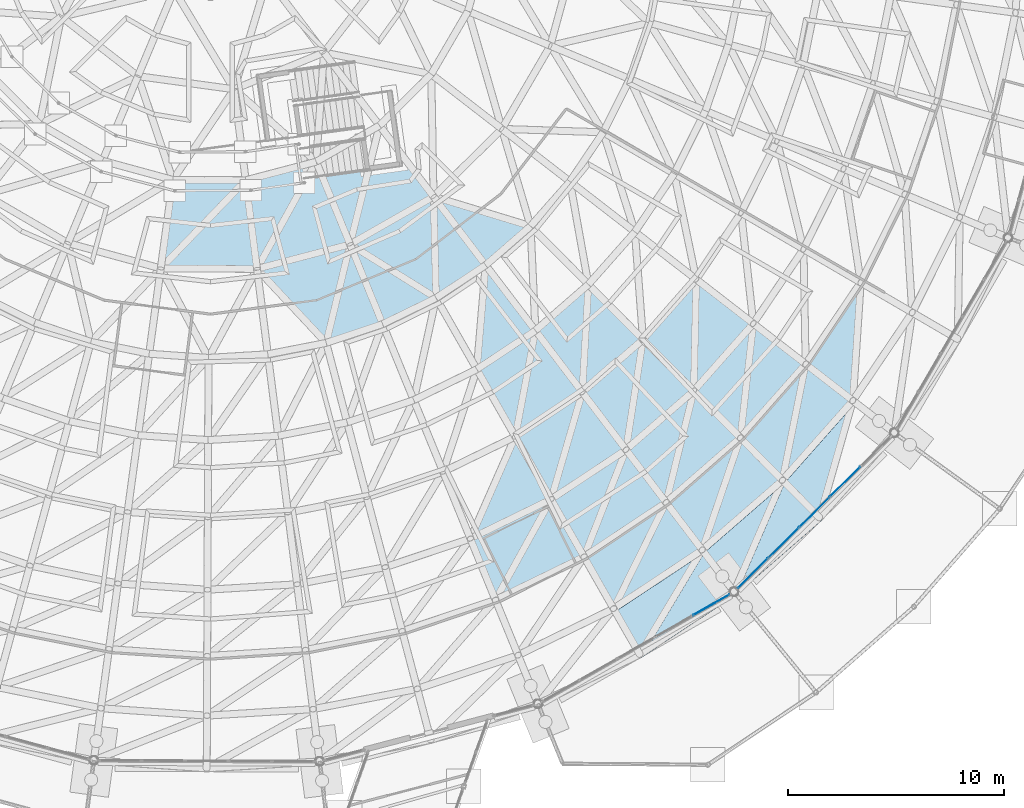
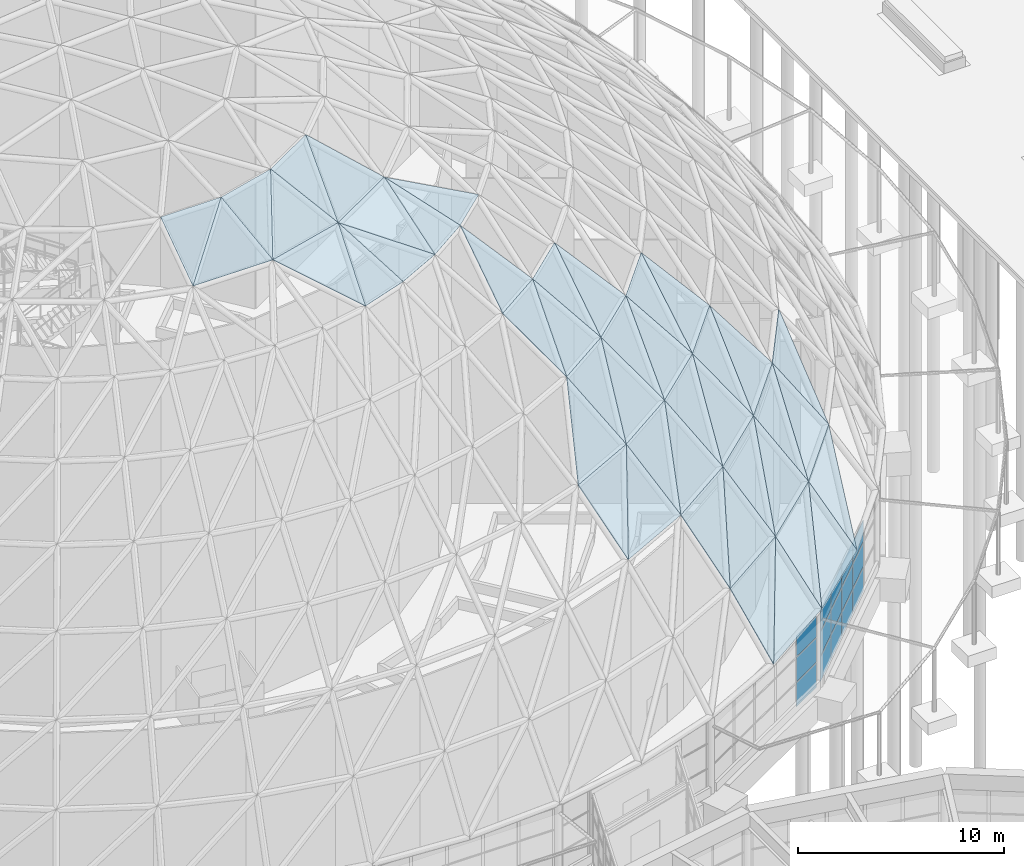
# One storey, part 147 of 226: 59 plates, 2 elements without a shape of their own.
"""IFC4 building model written with IfcOpenShell, lengths in metres."""

from ifc_helpers import new_model, si_unit, direction, frame, origin, origin_2d, place, context, subcontext, project, spatial, polyline, rectangle, outline, extrude, material, layer, layer_set, type_object, element, aggregate, save


model = new_model("IFC4")

# Units and contexts
model_context = context("Model", 3, precision=1e-05, world=origin(), true_north=direction((0.0, 1.0)))
body_context = subcontext(model_context, "Body", "Model", "MODEL_VIEW")
ifc_project = project(units=[si_unit("LENGTHUNIT", "METRE"), si_unit("AREAUNIT", "SQUARE_METRE"), si_unit("VOLUMEUNIT", "CUBIC_METRE"), si_unit("PLANEANGLEUNIT", "RADIAN"), si_unit("MASSUNIT", "GRAM", prefix="KILO")], contexts=[model_context])

# Site, building, storey
site_placement = place(None, origin())
site = spatial("IfcSite", under=ifc_project, at=site_placement, CompositionType="ELEMENT")
building_placement = place(site_placement, origin())
building = spatial("IfcBuilding", under=site, at=building_placement, Name="Ceibo Conservatory and Research Tower", CompositionType="ELEMENT")
storey_placement = place(building_placement, origin())
storey = spatial("IfcBuildingStorey", under=building, at=storey_placement, Name="L00", CompositionType="ELEMENT", Elevation=0.0)

# Curtain wall, plates
ifc_material_1 = material(Name="Aluminium and glass", Category="aluminium")
curtain_wall_type = type_object("IfcCurtainWallType", Name="Drum curtain wall", PredefinedType="NOTDEFINED", material=ifc_material_1)
curtain_wall_1_placement = place(storey_placement, origin())
curtain_wall_1 = element("IfcCurtainWall", 1, at=curtain_wall_1_placement, inside=storey, type_object=curtain_wall_type, Name="Drum curtain wall A-CW20", PredefinedType="NOTDEFINED")
ifc_material_2 = material(Name="Laminated glass", Category="glass")
ifc_layer_1 = layer(ifc_material_2, 0.028076171875)
ifc_layer_set_1 = layer_set([ifc_layer_1], Name="Laminated glass")
plate_type_1 = type_object("IfcPlateType", Name="Drum glass 28", PredefinedType="CURTAIN_PANEL", material=ifc_layer_set_1)
plate_1_placement = place(storey_placement, frame((179.151123046875, 75.5537109375, 0.06005859375), z_axis=(0.0, 0.0, 1.0), x_axis=(0.868198821002, 0.49621649228, 0.0)))
plate_1 = element("IfcPlate", 2, at=plate_1_placement, type_object=plate_type_1, Name="A-CW20 panel 5.1", PredefinedType="CURTAIN_PANEL", context=body_context, shape_type="SweptSolid", body=[
    extrude(rectangle(XDim=1.917236328125, YDim=0.028076171875, at=origin_2d()), origin(), (0.0, 0.0, 1.0), 1.43994140625),
])
plate_2_placement = place(storey_placement, frame((179.151123046875, 75.5537109375, 1.56005859375), z_axis=(0.0, 0.0, 1.0), x_axis=(0.868198821002, 0.49621649228, 0.0)))
plate_2 = element("IfcPlate", 3, at=plate_2_placement, type_object=plate_type_1, Name="A-CW20 panel 5.2", PredefinedType="CURTAIN_PANEL", context=body_context, shape_type="SweptSolid", body=[
    extrude(rectangle(XDim=1.917236328125, YDim=0.028076171875, at=origin_2d()), origin(), (0.0, 0.0, 1.0), 1.425048828125),
])
plate_3_placement = place(storey_placement, frame((179.151123046875, 75.5537109375, 3.044921875), z_axis=(0.0, 0.0, 1.0), x_axis=(0.868198821002, 0.49621649228, 0.0)))
plate_3 = element("IfcPlate", 4, at=plate_3_placement, type_object=plate_type_1, Name="A-CW20 panel 5.3", PredefinedType="CURTAIN_PANEL", context=body_context, shape_type="SweptSolid", body=[
    extrude(rectangle(XDim=1.917236328125, YDim=0.028076171875, at=origin_2d()), origin(), (0.0, 0.0, 1.0), 1.233154296875),
])
aggregate(curtain_wall_1, [plate_1, plate_2, plate_3])

curtain_wall_2_placement = place(storey_placement, origin())
curtain_wall_2 = element("IfcCurtainWall", 5, at=curtain_wall_2_placement, inside=storey, type_object=curtain_wall_type, Name="Drum curtain wall A-CW21", PredefinedType="NOTDEFINED")
plate_4_placement = place(storey_placement, frame((181.079345703125, 77.02001953125, 0.06005859375), z_axis=(0.0, 0.0, 1.0), x_axis=(0.71018535052, 0.704014749779, 0.0)))
plate_4 = element("IfcPlate", 6, at=plate_4_placement, type_object=plate_type_1, Name="A-CW21 panel 1.1", PredefinedType="CURTAIN_PANEL", context=body_context, shape_type="SweptSolid", body=[
    extrude(rectangle(XDim=1.917236328125, YDim=0.028076171875, at=origin_2d()), origin(), (0.0, 0.0, 1.0), 1.43994140625),
])
plate_5_placement = place(storey_placement, frame((181.079345703125, 77.02001953125, 1.56005859375), z_axis=(0.0, 0.0, 1.0), x_axis=(0.71018535052, 0.704014749779, 0.0)))
plate_5 = element("IfcPlate", 7, at=plate_5_placement, type_object=plate_type_1, Name="A-CW21 panel 1.2", PredefinedType="CURTAIN_PANEL", context=body_context, shape_type="SweptSolid", body=[
    extrude(rectangle(XDim=1.917236328125, YDim=0.028076171875, at=origin_2d()), origin(), (0.0, 0.0, 1.0), 1.425048828125),
])
plate_6_placement = place(storey_placement, frame((181.079345703125, 77.02001953125, 3.044921875), z_axis=(0.0, 0.0, 1.0), x_axis=(0.71018535052, 0.704014749779, 0.0)))
plate_6 = element("IfcPlate", 8, at=plate_6_placement, type_object=plate_type_1, Name="A-CW21 panel 1.3", PredefinedType="CURTAIN_PANEL", context=body_context, shape_type="SweptSolid", body=[
    extrude(rectangle(XDim=1.917236328125, YDim=0.028076171875, at=origin_2d()), origin(), (0.0, 0.0, 1.0), 1.233154296875),
])
plate_7_placement = place(storey_placement, frame((182.494140625, 78.422607421875, 0.06005859375), z_axis=(0.0, 0.0, 1.0), x_axis=(0.71018535052, 0.704014749779, 0.0)))
plate_7 = element("IfcPlate", 9, at=plate_7_placement, type_object=plate_type_1, Name="A-CW21 panel 2.1", PredefinedType="CURTAIN_PANEL", context=body_context, shape_type="SweptSolid", body=[
    extrude(rectangle(XDim=1.947021484375, YDim=0.028076171875, at=origin_2d()), origin(), (0.0, 0.0, 1.0), 1.43994140625),
])
plate_8_placement = place(storey_placement, frame((182.494140625, 78.422607421875, 1.56005859375), z_axis=(0.0, 0.0, 1.0), x_axis=(0.71018535052, 0.704014749779, 0.0)))
plate_8 = element("IfcPlate", 10, at=plate_8_placement, type_object=plate_type_1, Name="A-CW21 panel 2.2", PredefinedType="CURTAIN_PANEL", context=body_context, shape_type="SweptSolid", body=[
    extrude(rectangle(XDim=1.947021484375, YDim=0.028076171875, at=origin_2d()), origin(), (0.0, 0.0, 1.0), 1.425048828125),
])
plate_9_placement = place(storey_placement, frame((182.494140625, 78.422607421875, 3.044921875), z_axis=(0.0, 0.0, 1.0), x_axis=(0.71018535052, 0.704014749779, 0.0)))
plate_9 = element("IfcPlate", 11, at=plate_9_placement, type_object=plate_type_1, Name="A-CW21 panel 2.3", PredefinedType="CURTAIN_PANEL", context=body_context, shape_type="SweptSolid", body=[
    extrude(rectangle(XDim=1.947021484375, YDim=0.028076171875, at=origin_2d()), origin(), (0.0, 0.0, 1.0), 1.233154296875),
])
plate_10_placement = place(storey_placement, frame((183.919677734375, 79.835693359375, 0.06005859375), z_axis=(0.0, 0.0, 1.0), x_axis=(0.71018535052, 0.704014749779, 0.0)))
plate_10 = element("IfcPlate", 12, at=plate_10_placement, type_object=plate_type_1, Name="A-CW21 panel 3.1", PredefinedType="CURTAIN_PANEL", context=body_context, shape_type="SweptSolid", body=[
    extrude(rectangle(XDim=1.947021484375, YDim=0.028076171875, at=origin_2d()), origin(), (0.0, 0.0, 1.0), 1.43994140625),
])
plate_11_placement = place(storey_placement, frame((183.919677734375, 79.835693359375, 1.56005859375), z_axis=(0.0, 0.0, 1.0), x_axis=(0.71018535052, 0.704014749779, 0.0)))
plate_11 = element("IfcPlate", 13, at=plate_11_placement, type_object=plate_type_1, Name="A-CW21 panel 3.2", PredefinedType="CURTAIN_PANEL", context=body_context, shape_type="SweptSolid", body=[
    extrude(rectangle(XDim=1.947021484375, YDim=0.028076171875, at=origin_2d()), origin(), (0.0, 0.0, 1.0), 1.425048828125),
])
plate_12_placement = place(storey_placement, frame((183.919677734375, 79.835693359375, 3.044921875), z_axis=(0.0, 0.0, 1.0), x_axis=(0.71018535052, 0.704014749779, 0.0)))
plate_12 = element("IfcPlate", 14, at=plate_12_placement, type_object=plate_type_1, Name="A-CW21 panel 3.3", PredefinedType="CURTAIN_PANEL", context=body_context, shape_type="SweptSolid", body=[
    extrude(rectangle(XDim=1.947021484375, YDim=0.028076171875, at=origin_2d()), origin(), (0.0, 0.0, 1.0), 1.233154296875),
])
plate_13_placement = place(storey_placement, frame((185.34521484375, 81.248779296875, 0.06005859375), z_axis=(0.0, 0.0, 1.0), x_axis=(0.71018535052, 0.704014749779, 0.0)))
plate_13 = element("IfcPlate", 15, at=plate_13_placement, type_object=plate_type_1, Name="A-CW21 panel 4.1", PredefinedType="CURTAIN_PANEL", context=body_context, shape_type="SweptSolid", body=[
    extrude(rectangle(XDim=1.947021484375, YDim=0.028076171875, at=origin_2d()), origin(), (0.0, 0.0, 1.0), 1.43994140625),
])
plate_14_placement = place(storey_placement, frame((185.34521484375, 81.248779296875, 1.56005859375), z_axis=(0.0, 0.0, 1.0), x_axis=(0.71018535052, 0.704014749779, 0.0)))
plate_14 = element("IfcPlate", 16, at=plate_14_placement, type_object=plate_type_1, Name="A-CW21 panel 4.2", PredefinedType="CURTAIN_PANEL", context=body_context, shape_type="SweptSolid", body=[
    extrude(rectangle(XDim=1.947021484375, YDim=0.028076171875, at=origin_2d()), origin(), (0.0, 0.0, 1.0), 1.425048828125),
])
plate_15_placement = place(storey_placement, frame((185.34521484375, 81.248779296875, 3.044921875), z_axis=(0.0, 0.0, 1.0), x_axis=(0.71018535052, 0.704014749779, 0.0)))
plate_15 = element("IfcPlate", 17, at=plate_15_placement, type_object=plate_type_1, Name="A-CW21 panel 4.3", PredefinedType="CURTAIN_PANEL", context=body_context, shape_type="SweptSolid", body=[
    extrude(rectangle(XDim=1.947021484375, YDim=0.028076171875, at=origin_2d()), origin(), (0.0, 0.0, 1.0), 1.233154296875),
])
aggregate(curtain_wall_2, [plate_4, plate_5, plate_6, plate_7, plate_8, plate_9, plate_10, plate_11, plate_12, plate_13, plate_14, plate_15])

# Plates
ifc_layer_2 = layer(ifc_material_2, 0.035888671875)
ifc_layer_set_2 = layer_set([ifc_layer_2], Name="Laminated glass")
plate_type_2 = type_object("IfcPlateType", Name="Gridshell roof glass 36", PredefinedType="SHEET", material=ifc_layer_set_2)
plate_16_placement = place(storey_placement, frame((175.93212890625, 73.126708984375, 4.601806640625), z_axis=(0.45811079424, -0.692141464339, 0.557740704578), x_axis=(0.833890062559, 0.551930578574, 0.0)))
element("IfcPlate", 18, at=plate_16_placement, inside=storey, type_object=plate_type_2, Name="Glass panel A-P01-079", PredefinedType="SHEET", context=body_context, shape_type="SweptSolid", body=[
    extrude(outline(polyline([(0.0, 0.0), (5.254107049557908, 0.0), (5.093978905781169, 4.37474316134803), (0.0, 0.0)])), origin(), (0.0, 0.0, -1.0), 0.035888671875),
])
plate_17_placement = place(storey_placement, frame((175.93212890625, 73.126708984375, 4.601806640625), z_axis=(0.458047233991, -0.692142014895, 0.557792221754), x_axis=(0.432056442362, 0.721730234864, 0.540770467664)))
element("IfcPlate", 19, at=plate_17_placement, inside=storey, type_object=plate_type_2, Name="Glass panel A-P01-080", PredefinedType="SHEET", context=body_context, shape_type="SweptSolid", body=[
    extrude(outline(polyline([(0.0, 0.0), (6.714685310593853, 0.0), (2.9711198412687043, 3.2152320905581755), (0.0, 0.0)])), origin(), (0.0, 0.0, -1.0), 0.035888671875),
])
plate_18_placement = place(storey_placement, frame((180.3134765625, 76.026611328125, 4.601806640625), z_axis=(0.544575423436, -0.626371647012, 0.557759955545), x_axis=(0.75466253606, 0.656113143191, 0.0)))
element("IfcPlate", 20, at=plate_18_placement, inside=storey, type_object=plate_type_2, Name="Glass panel A-P01-081", PredefinedType="SHEET", context=body_context, shape_type="SweptSolid", body=[
    extrude(outline(polyline([(0.0, 0.0), (5.25444399552769, 2.220446049250313e-16), (5.093855868540828, 4.374811345423591), (0.0, 0.0)])), origin(), (0.0, 0.0, -1.0), 0.035888671875),
])
plate_19_placement = place(storey_placement, frame((180.3134765625, 76.026611328125, 4.601806640625), z_axis=(0.544596939449, -0.626368621684, 0.557742344916), x_axis=(0.334070816427, 0.77198428106, 0.540774407131)))
element("IfcPlate", 21, at=plate_19_placement, inside=storey, type_object=plate_type_2, Name="Glass panel A-P01-082", PredefinedType="SHEET", context=body_context, shape_type="SweptSolid", body=[
    extrude(outline(polyline([(0.0, 0.0), (6.7146363950339705, -4.440892098500626e-16), (2.9716125697932965, 3.2145820078568876), (0.0, 0.0)])), origin(), (0.0, 0.0, -1.0), 0.035888671875),
])
plate_20_placement = place(storey_placement, frame((184.27880859375, 79.47412109375, 4.601806640625), z_axis=(0.621608240048, -0.549990034945, 0.557776081745), x_axis=(0.23049193929, 0.808957984747, 0.540796121321)))
element("IfcPlate", 22, at=plate_20_placement, inside=storey, type_object=plate_type_2, Name="Glass panel A-P01-084", PredefinedType="SHEET", context=body_context, shape_type="SweptSolid", body=[
    extrude(outline(polyline([(0.0, 0.0), (6.714366787164462, -4.440892098500626e-16), (2.971159863817821, 3.2151161593656585), (0.0, 0.0)])), origin(), (0.0, 0.0, -1.0), 0.035888671875),
])
plate_21_placement = place(storey_placement, frame((174.718017578125, 75.24951171875, 8.23291015625), z_axis=(0.427477149235, -0.645948438145, 0.632466522544), x_axis=(0.833925508995, 0.551877020221, 0.0)))
element("IfcPlate", 23, at=plate_21_placement, inside=storey, type_object=plate_type_2, Name="Glass panel A-P02-079", PredefinedType="SHEET", context=body_context, shape_type="SweptSolid", body=[
    extrude(outline(polyline([(0.0, 0.0), (4.934774545942167, 0.0), (4.752936345598222, 4.372916135096226), (0.0, 0.0)])), origin(), (0.0, 0.0, -1.0), 0.035888671875),
])
plate_22_placement = place(storey_placement, frame((174.718017578125, 75.24951171875, 8.23291015625), z_axis=(0.427599933056, -0.645950595466, 0.632381313345), x_axis=(0.377369202936, 0.763243671891, 0.52445360328)))
element("IfcPlate", 24, at=plate_22_placement, inside=storey, type_object=plate_type_2, Name="Glass panel A-P02-080", PredefinedType="SHEET", context=body_context, shape_type="SweptSolid", body=[
    extrude(outline(polyline([(0.0, 0.0), (6.458544683587278, 0.0), (3.0940111564099237, 3.095009580727189), (0.0, 0.0)])), origin(), (0.0, 0.0, -1.0), 0.035888671875),
])
plate_23_placement = place(storey_placement, frame((178.833251953125, 77.972900390625, 8.23291015625), z_axis=(0.508241482158, -0.584554362322, 0.632445091138), x_axis=(0.754648131448, 0.656129711035, 0.0)))
element("IfcPlate", 25, at=plate_23_placement, inside=storey, type_object=plate_type_2, Name="Glass panel A-P02-081", PredefinedType="SHEET", context=body_context, shape_type="SweptSolid", body=[
    extrude(outline(polyline([(0.0, 0.0), (4.933940093024697, 0.0), (4.7529268761876, 4.372817348937347), (0.0, 0.0)])), origin(), (0.0, 0.0, -1.0), 0.035888671875),
])
plate_24_placement = place(storey_placement, frame((178.833251953125, 77.972900390625, 8.23291015625), z_axis=(0.508200679396, -0.584559010355, 0.632473582749), x_axis=(0.274401920148, 0.806006025814, 0.524459600513)))
element("IfcPlate", 26, at=plate_24_placement, inside=storey, type_object=plate_type_2, Name="Glass panel A-P02-082", PredefinedType="SHEET", context=body_context, shape_type="SweptSolid", body=[
    extrude(outline(polyline([(0.0, 0.0), (6.458470829658818, 2.220446049250313e-16), (3.094106091212218, 3.095475432306432), (0.0, 0.0)])), origin(), (0.0, 0.0, -1.0), 0.035888671875),
])
plate_25_placement = place(storey_placement, frame((182.556640625, 81.210205078125, 8.23291015625), z_axis=(0.580128380143, -0.51328925119, 0.632443837163), x_axis=(0.662645405262, 0.748933286004, 0.0)))
element("IfcPlate", 27, at=plate_25_placement, inside=storey, type_object=plate_type_2, Name="Glass panel A-P02-083", PredefinedType="SHEET", context=body_context, shape_type="SweptSolid", body=[
    extrude(outline(polyline([(0.0, 0.0), (4.934427017314615, 0.0), (4.753419390065305, 4.372811569164403), (0.0, 0.0)])), origin(), (0.0, 0.0, -1.0), 0.035888671875),
])
plate_26_placement = place(storey_placement, frame((182.556640625, 81.210205078125, 8.23291015625), z_axis=(0.580128495809, -0.513289222372, 0.632443754453), x_axis=(0.166998262122, 0.834915711577, 0.524430486347)))
element("IfcPlate", 28, at=plate_26_placement, inside=storey, type_object=plate_type_2, Name="Glass panel A-P02-084", PredefinedType="SHEET", context=body_context, shape_type="SweptSolid", body=[
    extrude(outline(polyline([(0.0, 0.0), (6.458829376695661, 4.440892098500626e-16), (3.093844952009283, 3.0955485402047636), (0.0, 0.0)])), origin(), (0.0, 0.0, -1.0), 0.035888671875),
])
plate_27_placement = place(storey_placement, frame((185.826416015625, 84.90576171875, 8.23291015625), z_axis=(0.642149374648, -0.433201588051, 0.632440166932), x_axis=(0.056588979811, 0.849552927366, 0.524459255775)))
element("IfcPlate", 29, at=plate_27_placement, inside=storey, type_object=plate_type_2, Name="Glass panel A-P02-086", PredefinedType="SHEET", context=body_context, shape_type="SweptSolid", body=[
    extrude(outline(polyline([(0.0, 0.0), (6.458475074955934, 0.0), (3.094166020248231, 3.095219123047945), (0.0, 0.0)])), origin(), (0.0, 0.0, -1.0), 0.035888671875),
])
plate_28_placement = place(storey_placement, frame((169.234130859375, 75.652099609375, 11.6201171875), z_axis=(0.31217805054, -0.64029597473, 0.701830413637), x_axis=(0.898857734553, 0.438240542436, 0.0)))
element("IfcPlate", 30, at=plate_28_placement, inside=storey, type_object=plate_type_2, Name="Glass panel A-P03-077", PredefinedType="SHEET", context=body_context, shape_type="SweptSolid", body=[
    extrude(outline(polyline([(0.0, 0.0), (4.571503032589862, 0.0), (4.369691083419548, 4.372873133249929), (0.0, 0.0)])), origin(), (0.0, 0.0, -1.0), 0.035888671875),
])
plate_29_placement = place(storey_placement, frame((169.234130859375, 75.652099609375, 11.6201171875), z_axis=(0.312271468521, -0.640310852499, 0.701775278932), x_axis=(0.417792661364, 0.756007648785, 0.503886621264)))
element("IfcPlate", 31, at=plate_29_placement, inside=storey, type_object=plate_type_2, Name="Glass panel A-P03-078", PredefinedType="SHEET", context=body_context, shape_type="SweptSolid", body=[
    extrude(outline(polyline([(0.0, 0.0), (6.181926852043411, 0.0), (3.2345170349661716, 2.9491060949903893), (0.0, 0.0)])), origin(), (0.0, 0.0, -1.0), 0.035888671875),
])
plate_30_placement = place(storey_placement, frame((173.34326171875, 77.655517578125, 11.6201171875), z_axis=(0.393228083192, -0.594027021184, 0.701785987814), x_axis=(0.833853404123, 0.551985960357, 0.0)))
element("IfcPlate", 32, at=plate_30_placement, inside=storey, type_object=plate_type_2, Name="Glass panel A-P03-079", PredefinedType="SHEET", context=body_context, shape_type="SweptSolid", body=[
    extrude(outline(polyline([(0.0, 0.0), (4.571561020077669, 2.220446049250313e-16), (4.37128869689279, 4.372604474401962), (0.0, 0.0)])), origin(), (0.0, 0.0, -1.0), 0.035888671875),
])
plate_31_placement = place(storey_placement, frame((173.34326171875, 77.655517578125, 11.6201171875), z_axis=(0.393138862149, -0.594024605118, 0.701838018052), x_axis=(0.315577242636, 0.804105977108, 0.503810064915)))
element("IfcPlate", 33, at=plate_31_placement, inside=storey, type_object=plate_type_2, Name="Glass panel A-P03-080", PredefinedType="SHEET", context=body_context, shape_type="SweptSolid", body=[
    extrude(outline(polyline([(0.0, 0.0), (6.182866225396012, -2.220446049250313e-16), (3.234773136941577, 2.949405067949826), (0.0, 0.0)])), origin(), (0.0, 0.0, -1.0), 0.035888671875),
])
plate_32_placement = place(storey_placement, frame((177.1552734375, 80.178955078125, 11.6201171875), z_axis=(0.467446525098, -0.537681449836, 0.701706779699), x_axis=(0.754676796997, 0.656096739875, 0.0)))
element("IfcPlate", 34, at=plate_32_placement, inside=storey, type_object=plate_type_2, Name="Glass panel A-P03-081", PredefinedType="SHEET", context=body_context, shape_type="SweptSolid", body=[
    extrude(outline(polyline([(0.0, 0.0), (4.571752207339714, -2.220446049250313e-16), (4.371737798924635, 4.3721256395802985), (0.0, 0.0)])), origin(), (0.0, 0.0, -1.0), 0.035888671875),
])
plate_33_placement = place(storey_placement, frame((177.1552734375, 80.178955078125, 11.6201171875), z_axis=(0.467327715494, -0.537693821888, 0.701776431804), x_axis=(0.208055826173, 0.83838324185, 0.503811783288)))
element("IfcPlate", 35, at=plate_33_placement, inside=storey, type_object=plate_type_2, Name="Glass panel A-P03-082", PredefinedType="SHEET", context=body_context, shape_type="SweptSolid", body=[
    extrude(outline(polyline([(0.0, 0.0), (6.182845137218127, -2.220446049250313e-16), (3.2347754358287153, 2.948899247643614), (0.0, 0.0)])), origin(), (0.0, 0.0, -1.0), 0.035888671875),
])
plate_34_placement = place(storey_placement, frame((180.60546875, 83.178466796875, 11.6201171875), z_axis=(0.533605668145, -0.472126503755, 0.701684797737), x_axis=(0.66264531029, 0.748933370034, 0.0)))
element("IfcPlate", 36, at=plate_34_placement, inside=storey, type_object=plate_type_2, Name="Glass panel A-P03-083", PredefinedType="SHEET", context=body_context, shape_type="SweptSolid", body=[
    extrude(outline(polyline([(0.0, 0.0), (4.57225775117127, 2.220446049250313e-16), (4.370635782508655, 4.371992790043444), (0.0, 0.0)])), origin(), (0.0, 0.0, -1.0), 0.035888671875),
])
plate_35_placement = place(storey_placement, frame((180.60546875, 83.178466796875, 11.6201171875), z_axis=(0.533592142601, -0.472129738311, 0.701692906874), x_axis=(0.096835250988, 0.858326812798, 0.50388293938)))
element("IfcPlate", 37, at=plate_35_placement, inside=storey, type_object=plate_type_2, Name="Glass panel A-P03-084", PredefinedType="SHEET", context=body_context, shape_type="SweptSolid", body=[
    extrude(outline(polyline([(0.0, 0.0), (6.1819720235161935, -6.661338147750939e-16), (3.2347127102858355, 2.9482405013438653), (0.0, 0.0)])), origin(), (0.0, 0.0, -1.0), 0.035888671875),
])
plate_36_placement = place(storey_placement, frame((168.0693359375, 78.498046875, 14.735107421875), z_axis=(0.282302296768, -0.578859237962, 0.765001565923), x_axis=(0.898810085278, 0.438338260482, 0.0)))
element("IfcPlate", 38, at=plate_36_placement, inside=storey, type_object=plate_type_2, Name="Glass panel A-P04-077", PredefinedType="SHEET", context=body_context, shape_type="SweptSolid", body=[
    extrude(outline(polyline([(0.0, 0.0), (4.169466559322997, 0.0), (3.95052041042427, 4.371971400995099), (0.0, 0.0)])), origin(), (0.0, 0.0, -1.0), 0.035888671875),
])
plate_37_placement = place(storey_placement, frame((171.81689453125, 80.32568359375, 14.735107421875), z_axis=(0.355402928291, -0.537006397642, 0.765057440624), x_axis=(0.833910016374, 0.551900429961, 0.0)))
element("IfcPlate", 39, at=plate_37_placement, inside=storey, type_object=plate_type_2, Name="Glass panel A-P04-079", PredefinedType="SHEET", context=body_context, shape_type="SweptSolid", body=[
    extrude(outline(polyline([(0.0, 0.0), (4.170161041619487, 0.0), (3.9502943016100325, 4.37242203896505), (0.0, 0.0)])), origin(), (0.0, 0.0, -1.0), 0.035888671875),
])
plate_38_placement = place(storey_placement, frame((171.81689453125, 80.32568359375, 14.735107421875), z_axis=(0.355533521207, -0.53700902409, 0.764994917202), x_axis=(0.245731020389, 0.843382338736, 0.47783103324)))
element("IfcPlate", 40, at=plate_38_placement, inside=storey, type_object=plate_type_2, Name="Glass panel A-P04-080", PredefinedType="SHEET", context=body_context, shape_type="SweptSolid", body=[
    extrude(outline(polyline([(0.0, 0.0), (5.892613983298073, 0.0), (3.3911789072796203, 2.768027631014263), (0.0, 0.0)])), origin(), (0.0, 0.0, -1.0), 0.035888671875),
])
plate_39_placement = place(storey_placement, frame((175.29443359375, 82.627197265625, 14.735107421875), z_axis=(0.422497022382, -0.486112916416, 0.764977449715), x_axis=(0.754766842474, 0.655993150499, 0.0)))
element("IfcPlate", 41, at=plate_39_placement, inside=storey, type_object=plate_type_2, Name="Glass panel A-P04-081", PredefinedType="SHEET", context=body_context, shape_type="SweptSolid", body=[
    extrude(outline(polyline([(0.0, 0.0), (4.169786773565685, -4.440892098500626e-16), (3.9498270400957947, 4.371776953306844), (0.0, 0.0)])), origin(), (0.0, 0.0, -1.0), 0.035888671875),
])
plate_40_placement = place(storey_placement, frame((175.29443359375, 82.627197265625, 14.735107421875), z_axis=(0.422302514767, -0.486134532114, 0.765071109576), x_axis=(0.133634978358, 0.868192268699, 0.477895257489)))
element("IfcPlate", 42, at=plate_40_placement, inside=storey, type_object=plate_type_2, Name="Glass panel A-P04-082", PredefinedType="SHEET", context=body_context, shape_type="SweptSolid", body=[
    extrude(outline(polyline([(0.0, 0.0), (5.891822076076023, 0.0), (3.390901302280932, 2.769152258070897), (0.0, 0.0)])), origin(), (0.0, 0.0, -1.0), 0.035888671875),
])
plate_41_placement = place(storey_placement, frame((178.441650390625, 85.362548828125, 14.735107421875), z_axis=(0.482303274348, -0.42674863538, 0.765028858119), x_axis=(0.662657277827, 0.748922781162, 0.0)))
element("IfcPlate", 43, at=plate_41_placement, inside=storey, type_object=plate_type_2, Name="Glass panel A-P04-083", PredefinedType="SHEET", context=body_context, shape_type="SweptSolid", body=[
    extrude(outline(polyline([(0.0, 0.0), (4.168747955104435, -2.220446049250313e-16), (3.949765794562444, 4.372191495188925), (0.0, 0.0)])), origin(), (0.0, 0.0, -1.0), 0.035888671875),
])
plate_42_placement = place(storey_placement, frame((178.441650390625, 85.362548828125, 14.735107421875), z_axis=(0.4823950762, -0.426726001713, 0.764983601079), x_axis=(0.019060250914, 0.878221778533, 0.47787363868)))
element("IfcPlate", 44, at=plate_42_placement, inside=storey, type_object=plate_type_2, Name="Glass panel A-P04-084", PredefinedType="SHEET", context=body_context, shape_type="SweptSolid", body=[
    extrude(outline(polyline([(0.0, 0.0), (5.892088619708453, 0.0), (3.3906216276125063, 2.7684835184951595), (0.0, 0.0)])), origin(), (0.0, 0.0, -1.0), 0.035888671875),
])
plate_43_placement = place(storey_placement, frame((170.154052734375, 83.23583984375, 17.55078125), z_axis=(0.314765129979, -0.475431162422, 0.821515747108), x_axis=(0.833817923828, 0.552039554655, 0.0)))
element("IfcPlate", 45, at=plate_43_placement, inside=storey, type_object=plate_type_2, Name="Glass panel A-P05-079", PredefinedType="SHEET", context=body_context, shape_type="SweptSolid", body=[
    extrude(outline(polyline([(0.0, 0.0), (3.730838297969221, 0.0), (3.4965291059106676, 4.369549294933934), (0.0, 0.0)])), origin(), (0.0, 0.0, -1.0), 0.035888671875),
])
plate_44_placement = place(storey_placement, frame((170.154052734375, 83.23583984375, 17.55078125), z_axis=(0.31459254418, -0.475431717378, 0.821581531716), x_axis=(0.16686674284, 0.879747643429, 0.445196107368)))
element("IfcPlate", 46, at=plate_44_placement, inside=storey, type_object=plate_type_2, Name="Glass panel A-P05-080", PredefinedType="SHEET", context=body_context, shape_type="SweptSolid", body=[
    extrude(outline(polyline([(0.0, 0.0), (5.596309214950338, -2.220446049250313e-16), (3.55961441177119, 2.5463052917352464), (0.0, 0.0)])), origin(), (0.0, 0.0, -1.0), 0.035888671875),
])
plate_45_placement = place(storey_placement, frame((173.264892578125, 85.29541015625, 17.55078125), z_axis=(0.37383887323, -0.430345497289, 0.821612591083), x_axis=(0.754930818395, 0.655804436885, 0.0)))
element("IfcPlate", 47, at=plate_45_placement, inside=storey, type_object=plate_type_2, Name="Glass panel A-P05-081", PredefinedType="SHEET", context=body_context, shape_type="SweptSolid", body=[
    extrude(outline(polyline([(0.0, 0.0), (3.731328040413893, 0.0), (3.4945821449068966, 4.370619032784091), (0.0, 0.0)])), origin(), (0.0, 0.0, -1.0), 0.035888671875),
])
plate_46_placement = place(storey_placement, frame((173.264892578125, 85.29541015625, 17.55078125), z_axis=(0.374112664244, -0.430308562674, 0.821507306931), x_axis=(0.050608782452, 0.893986690713, 0.445226400797)))
element("IfcPlate", 48, at=plate_46_placement, inside=storey, type_object=plate_type_2, Name="Glass panel A-P05-082", PredefinedType="SHEET", context=body_context, shape_type="SweptSolid", body=[
    extrude(outline(polyline([(0.0, 0.0), (5.595928439252654, 0.0), (3.559258005144204, 2.54549490102763), (0.0, 0.0)])), origin(), (0.0, 0.0, -1.0), 0.035888671875),
])
plate_47_placement = place(storey_placement, frame((168.36865234375, 86.35986328125, 20.042236328125), z_axis=(0.270919235657, -0.409429911363, 0.871188794368), x_axis=(0.833957542298, 0.551828612564, 0.0)))
element("IfcPlate", 49, at=plate_47_placement, inside=storey, type_object=plate_type_2, Name="Glass panel A-P06-079", PredefinedType="SHEET", context=body_context, shape_type="SweptSolid", body=[
    extrude(outline(polyline([(0.0, 0.0), (3.2606435499784197, 0.0), (3.009574685567654, 4.370628465448766), (0.0, 0.0)])), origin(), (0.0, 0.0, -1.0), 0.035888671875),
])
plate_48_placement = place(storey_placement, frame((158.159912109375, 91.024169921875, 23.970458984375), z_axis=(0.100636958708, -0.382139696211, 0.918608434058), x_axis=(0.638689273207, -0.683121518537, -0.354148278552)))
element("IfcPlate", 50, at=plate_48_placement, inside=storey, type_object=plate_type_2, Name="Glass panel A-P07-057", PredefinedType="SHEET", context=body_context, shape_type="SweptSolid", body=[
    extrude(outline(polyline([(0.0, 0.0), (5.033119772360406, -3.3306690738754696e-16), (1.9819971711480149, 4.003626914101606), (0.0, 0.0)])), origin(), (0.0, 0.0, -1.0), 0.035888671875),
])
plate_49_placement = place(storey_placement, frame((162.47998046875, 92.161865234375, 23.970458984375), z_axis=(0.129336744741, -0.386892153049, 0.913009566417), x_axis=(-0.219612506316, -0.909054153243, -0.354105766037)))
element("IfcPlate", 51, at=plate_49_placement, inside=storey, type_object=plate_type_2, Name="Glass panel A-P07-058", PredefinedType="SHEET", context=body_context, shape_type="SweptSolid", body=[
    extrude(outline(polyline([(0.0, 0.0), (5.0337240284850555, 0.0), (3.6627153495824496, 2.396963439197925), (0.0, 0.0)])), origin(), (0.0, 0.0, -1.0), 0.035888671875),
])
plate_50_placement = place(storey_placement, frame((162.47998046875, 92.161865234375, 23.970458984375), z_axis=(0.178952643727, -0.366598612819, 0.913006795365), x_axis=(0.345743113292, -0.845366731436, -0.407206076811)))
element("IfcPlate", 52, at=plate_50_placement, inside=storey, type_object=plate_type_2, Name="Glass panel A-P07-059", PredefinedType="SHEET", context=body_context, shape_type="SweptSolid", body=[
    extrude(outline(polyline([(0.0, 0.0), (4.37731852404168, -4.163336342344337e-17), (4.211284077199785, 2.756039329248196), (0.0, 0.0)])), origin(), (0.0, 0.0, -1.0), 0.035888671875),
])
plate_51_placement = place(storey_placement, frame((162.47998046875, 92.161865234375, 23.970458984375), z_axis=(0.19608315377, -0.34311311937, 0.918599359963), x_axis=(0.793694065344, -0.494591412434, -0.354159660865)))
element("IfcPlate", 53, at=plate_51_placement, inside=storey, type_object=plate_type_2, Name="Glass panel A-P07-060", PredefinedType="SHEET", context=body_context, shape_type="SweptSolid", body=[
    extrude(outline(polyline([(0.0, 0.0), (5.032958013260124, -1.1102230246251565e-16), (1.9819163539824523, 4.003031799736386), (0.0, 0.0)])), origin(), (0.0, 0.0, -1.0), 0.035888671875),
])
plate_52_placement = place(storey_placement, frame((166.358154296875, 94.378173828125, 23.970458984375), z_axis=(0.225113645712, -0.340267933711, 0.912984983339), x_axis=(0.023137375839, -0.934905203171, -0.354142517814)))
element("IfcPlate", 54, at=plate_52_placement, inside=storey, type_object=plate_type_2, Name="Glass panel A-P07-061", PredefinedType="SHEET", context=body_context, shape_type="SweptSolid", body=[
    extrude(outline(polyline([(0.0, 0.0), (5.033201644713687, 0.0), (3.662211229949117, 2.396629445875303), (0.0, 0.0)])), origin(), (0.0, 0.0, -1.0), 0.035888671875),
])
plate_53_placement = place(storey_placement, frame((166.358154296875, 94.378173828125, 23.970458984375), z_axis=(0.267606608331, -0.307963993064, 0.912986791884), x_axis=(0.55274106486, -0.727058940296, -0.407262338737)))
element("IfcPlate", 55, at=plate_53_placement, inside=storey, type_object=plate_type_2, Name="Glass panel A-P07-062", PredefinedType="SHEET", context=body_context, shape_type="SweptSolid", body=[
    extrude(outline(polyline([(0.0, 0.0), (4.376713812165697, 2.42861286636753e-16), (4.211938083613154, 2.756902291896569), (0.0, 0.0)])), origin(), (0.0, 0.0, -1.0), 0.035888671875),
])
plate_54_placement = place(storey_placement, frame((153.6923828125, 91.044189453125, 23.970458984375), z_axis=(-0.001446309681, -0.322756351752, 0.946480980048), x_axis=(0.999989959937, -0.004481074196, 0.0)))
element("IfcPlate", 56, at=plate_54_placement, inside=storey, type_object=plate_type_2, Name="Glass panel A-P08-035", PredefinedType="SHEET", context=body_context, shape_type="SweptSolid", body=[
    extrude(outline(polyline([(0.0, 0.0), (4.467574151602624, 0.0), (3.9249775739560993, 4.343342544376458), (0.0, 0.0)])), origin(), (0.0, 0.0, -1.0), 0.035888671875),
])
plate_55_placement = place(storey_placement, frame((153.6923828125, 91.044189453125, 23.970458984375), z_axis=(-0.001420496105, -0.322778631304, 0.946473421373), x_axis=(0.673610488219, 0.699217028571, 0.239467027201)))
element("IfcPlate", 57, at=plate_55_placement, inside=storey, type_object=plate_type_2, Name="Glass panel A-P08-036", PredefinedType="SHEET", context=body_context, shape_type="SweptSolid", body=[
    extrude(outline(polyline([(0.0, 0.0), (5.85406469163511, 1.1102230246251565e-16), (3.58495757775191, 2.51058865895238), (0.0, 0.0)])), origin(), (0.0, 0.0, -1.0), 0.035888671875),
])
plate_56_placement = place(storey_placement, frame((158.159912109375, 91.024169921875, 23.970458984375), z_axis=(0.082201584525, -0.312136703471, 0.946474288001), x_axis=(0.967028508009, 0.254668146218, 0.0)))
element("IfcPlate", 58, at=plate_56_placement, inside=storey, type_object=plate_type_2, Name="Glass panel A-P08-037", PredefinedType="SHEET", context=body_context, shape_type="SweptSolid", body=[
    extrude(outline(polyline([(0.0, 0.0), (4.467364016258075, 0.0), (3.9257929376646996, 4.343078488735411), (0.0, 0.0)])), origin(), (0.0, 0.0, -1.0), 0.035888671875),
])
plate_57_placement = place(storey_placement, frame((158.159912109375, 91.024169921875, 23.970458984375), z_axis=(0.082140865451, -0.312107357561, 0.946489236906), x_axis=(0.46964751898, 0.849760921174, 0.239452677498)))
element("IfcPlate", 59, at=plate_57_placement, inside=storey, type_object=plate_type_2, Name="Glass panel A-P08-038", PredefinedType="SHEET", context=body_context, shape_type="SweptSolid", body=[
    extrude(outline(polyline([(0.0, 0.0), (5.854415508719405, 5.551115123125783e-17), (3.58480860617293, 2.5116095956523146), (0.0, 0.0)])), origin(), (0.0, 0.0, -1.0), 0.035888671875),
])
plate_58_placement = place(storey_placement, frame((162.47998046875, 92.161865234375, 23.970458984375), z_axis=(0.160142106688, -0.280222225681, 0.946482968626), x_axis=(0.868222960441, 0.496174254635, 0.0)))
element("IfcPlate", 60, at=plate_58_placement, inside=storey, type_object=plate_type_2, Name="Glass panel A-P08-039", PredefinedType="SHEET", context=body_context, shape_type="SweptSolid", body=[
    extrude(outline(polyline([(0.0, 0.0), (4.4667948267055895, 0.0), (3.9257333306844853, 4.343421019620243), (0.0, 0.0)])), origin(), (0.0, 0.0, -1.0), 0.035888671875),
])
plate_59_placement = place(storey_placement, frame((162.47998046875, 92.161865234375, 23.970458984375), z_axis=(0.160166188226, -0.280226818783, 0.946477533903), x_axis=(0.233772659519, 0.942346514413, 0.239443919186)))
element("IfcPlate", 61, at=plate_59_placement, inside=storey, type_object=plate_type_2, Name="Glass panel A-P08-040", PredefinedType="SHEET", context=body_context, shape_type="SweptSolid", body=[
    extrude(outline(polyline([(0.0, 0.0), (5.854629649886153, 0.0), (3.5844452227327084, 2.511450265825249), (0.0, 0.0)])), origin(), (0.0, 0.0, -1.0), 0.035888671875),
])

save(model, "model.ifc")
